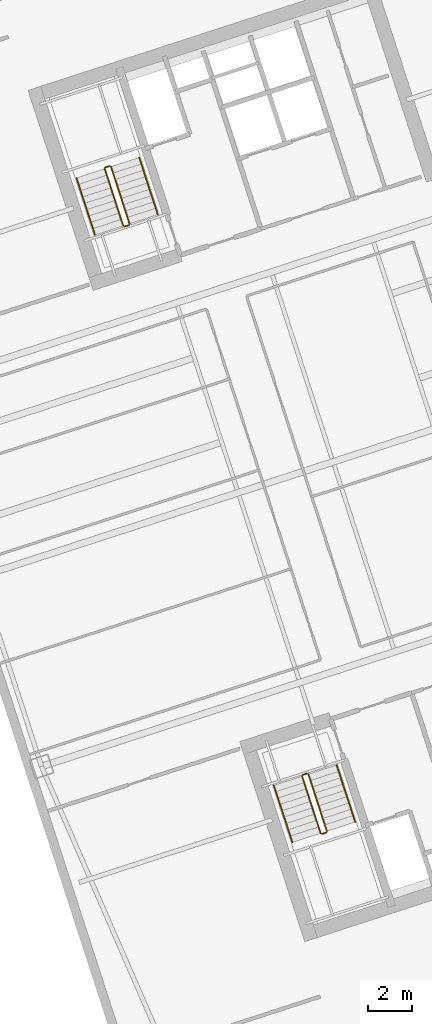
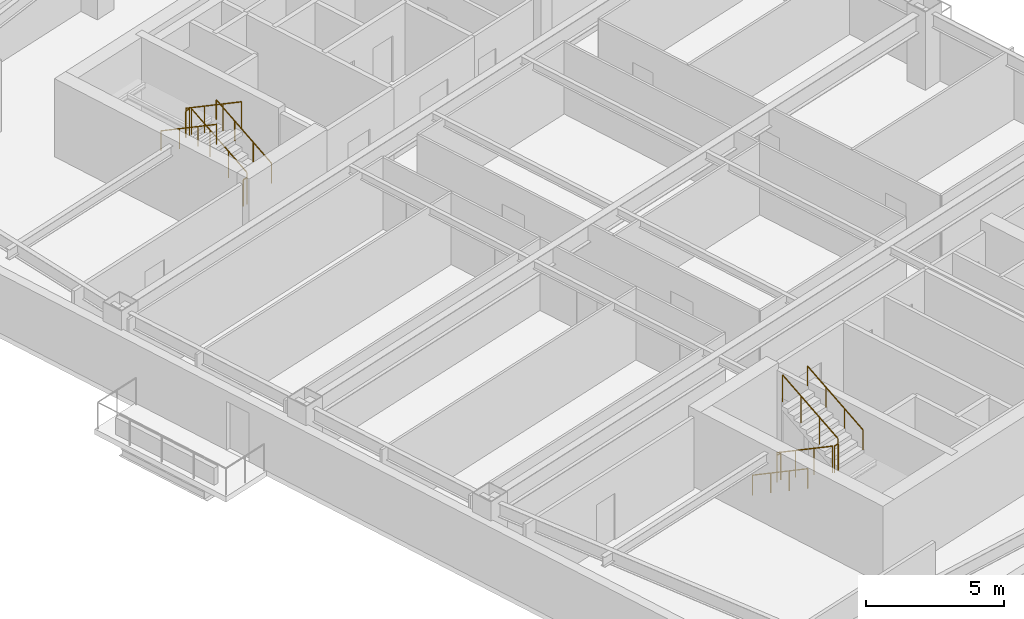
# One storey, part 14 of 15: 12 railings.
"""IFC4 building model written with IfcOpenShell, lengths in metres."""

from ifc_helpers import new_model, si_unit, direction, frame, origin, origin_2d, place, context, subcontext, project, spatial, circle, extrude, material, type_object, element, save


model = new_model("IFC4")

# Units and contexts
model_context = context("Model", 3, precision=1e-05, world=origin(), true_north=direction((0.0, 1.0)))
body_context = subcontext(model_context, "Body", "Model", "MODEL_VIEW")
ifc_project = project(units=[si_unit("LENGTHUNIT", "METRE"), si_unit("AREAUNIT", "SQUARE_METRE"), si_unit("VOLUMEUNIT", "CUBIC_METRE"), si_unit("PLANEANGLEUNIT", "RADIAN"), si_unit("MASSUNIT", "GRAM", prefix="KILO")], contexts=[model_context])

# Site, building, storey
site_placement = place(None, origin())
site = spatial("IfcSite", under=ifc_project, at=site_placement, CompositionType="ELEMENT")
building_placement = place(site_placement, origin())
building = spatial("IfcBuilding", under=site, at=building_placement, Name="Qiaolan Cultural Towers", CompositionType="ELEMENT")
storey_placement = place(building_placement, frame((0.0, 0.0, 113.85009765625)))
storey = spatial("IfcBuildingStorey", under=building, at=storey_placement, Name="L29", CompositionType="ELEMENT", Elevation=113.85009765625)

# Railings
ifc_material_1 = material(Name="Galvanized Painted Steel Stair Guardrail", Category="steel")
railing_type_1 = type_object("IfcRailingType", Name="RL-STAIR-GRD", PredefinedType="GUARDRAIL", material=ifc_material_1)
railing_1_placement = place(storey_placement, frame((88.60205078125, 19.82421875, 0.17236328125)))
element("IfcRailing", 1, at=railing_1_placement, inside=storey, type_object=railing_type_1, Name="L29 ST-E1 stair guard 1", PredefinedType="GUARDRAIL", context=body_context, shape_type="SweptSolid", body=[
    extrude(circle(Radius=0.02392578125, at=origin_2d()), frame((0.0, 0.0, 1.17578125), z_axis=(0.267925668498, -0.824471088726, 0.498460891159), x_axis=(0.951043371037, 0.309057448393, 0.0)), (0.0, 0.0, 1.0), 3.114501953125),
    extrude(circle(Radius=0.02099609375, at=origin_2d()), origin(), (0.0, 0.0, 1.0), 1.15185546875),
    extrude(circle(Radius=0.02099609375, at=origin_2d()), frame((0.278076171875, -0.85595703125, 0.517578125)), (0.0, 0.0, 1.0), 1.15185546875),
    extrude(circle(Radius=0.02099609375, at=origin_2d()), frame((0.556396484375, -1.7119140625, 1.034912109375)), (0.0, 0.0, 1.0), 1.15185546875),
    extrude(circle(Radius=0.02099609375, at=origin_2d()), frame((0.83447265625, -2.56787109375, 1.552490234375)), (0.0, 0.0, 1.0), 1.15185546875),
])
railing_2_placement = place(storey_placement, frame((89.49951171875, 17.224365234375, 1.724853515625)))
element("IfcRailing", 2, at=railing_2_placement, inside=storey, type_object=railing_type_1, Name="L29 ST-E1 stair guard 2", PredefinedType="GUARDRAIL", context=body_context, shape_type="SweptSolid", body=[
    extrude(circle(Radius=0.02392578125, at=origin_2d()), frame((0.0, 0.0, 1.17578125), z_axis=(0.951096855055, 0.308892816854, 0.0), x_axis=(-0.308892816854, 0.951096855055, 0.0)), (0.0, 0.0, 1.0), 0.199951171875),
    extrude(circle(Radius=0.02099609375, at=origin_2d()), origin(), (0.0, 0.0, 1.0), 1.15185546875),
    extrude(circle(Radius=0.02099609375, at=origin_2d()), frame((0.190185546875, 0.061767578125, 0.0)), (0.0, 0.0, 1.0), 1.15185546875),
])
railing_3_placement = place(storey_placement, frame((89.721923828125, 17.34912109375, 1.8974609375)))
element("IfcRailing", 3, at=railing_3_placement, inside=storey, type_object=railing_type_1, Name="L29 ST-E1 stair guard 3", PredefinedType="GUARDRAIL", context=body_context, shape_type="SweptSolid", body=[
    extrude(circle(Radius=0.02392578125, at=origin_2d()), frame((0.0, 0.0, 1.17578125), z_axis=(-0.267925668498, 0.824471088726, 0.498460891159), x_axis=(-0.951043371037, -0.309057448393, 0.0)), (0.0, 0.0, 1.0), 3.114501953125),
    extrude(circle(Radius=0.02099609375, at=origin_2d()), origin(), (0.0, 0.0, 1.0), 1.15185546875),
    extrude(circle(Radius=0.02099609375, at=origin_2d()), frame((-0.278076171875, 0.85595703125, 0.517578125)), (0.0, 0.0, 1.0), 1.15185546875),
    extrude(circle(Radius=0.02099609375, at=origin_2d()), frame((-0.556396484375, 1.7119140625, 1.034912109375)), (0.0, 0.0, 1.0), 1.15185546875),
    extrude(circle(Radius=0.02099609375, at=origin_2d()), frame((-0.83447265625, 2.56787109375, 1.552490234375)), (0.0, 0.0, 1.0), 1.15185546875),
])
railing_4_placement = place(storey_placement, frame((88.63427734375, 19.88720703125, 0.0)))
element("IfcRailing", 4, at=railing_4_placement, inside=storey, type_object=railing_type_1, Name="L29 ST-E1 stair guard 4", PredefinedType="GUARDRAIL", context=body_context, shape_type="SweptSolid", body=[
    extrude(circle(Radius=0.02392578125, at=origin_2d()), frame((0.0, 0.0, 1.17578125), z_axis=(0.951096855055, 0.308892816854, 0.0), x_axis=(-0.308892816854, 0.951096855055, 0.0)), (0.0, 0.0, 1.0), 0.199951171875),
    extrude(circle(Radius=0.02099609375, at=origin_2d()), origin(), (0.0, 0.0, 1.0), 1.15185546875),
    extrude(circle(Radius=0.02099609375, at=origin_2d()), frame((0.190185546875, 0.061767578125, 0.0)), (0.0, 0.0, 1.0), 1.15185546875),
])
railing_5_placement = place(storey_placement, frame((80.822021484375, 44.739501953125, 0.17236328125)))
element("IfcRailing", 5, at=railing_5_placement, inside=storey, type_object=railing_type_1, Name="L29 ST-E2 stair guard 1", PredefinedType="GUARDRAIL", context=body_context, shape_type="SweptSolid", body=[
    extrude(circle(Radius=0.02392578125, at=origin_2d()), frame((0.0, 0.0, 1.17578125), z_axis=(-0.26785290645, 0.824488402118, 0.498471358535), x_axis=(-0.951069945308, -0.308975661068, 0.0)), (0.0, 0.0, 1.0), 3.114501953125),
    extrude(circle(Radius=0.02099609375, at=origin_2d()), origin(), (0.0, 0.0, 1.0), 1.15185546875),
    extrude(circle(Radius=0.02099609375, at=origin_2d()), frame((-0.278076171875, 0.85595703125, 0.517578125)), (0.0, 0.0, 1.0), 1.15185546875),
    extrude(circle(Radius=0.02099609375, at=origin_2d()), frame((-0.55615234375, 1.7119140625, 1.034912109375)), (0.0, 0.0, 1.0), 1.15185546875),
    extrude(circle(Radius=0.02099609375, at=origin_2d()), frame((-0.834228515625, 2.56787109375, 1.552490234375)), (0.0, 0.0, 1.0), 1.15185546875),
])
railing_6_placement = place(storey_placement, frame((79.9248046875, 47.33935546875, 1.724853515625)))
element("IfcRailing", 6, at=railing_6_placement, inside=storey, type_object=railing_type_1, Name="L29 ST-E2 stair guard 2", PredefinedType="GUARDRAIL", context=body_context, shape_type="SweptSolid", body=[
    extrude(circle(Radius=0.02392578125, at=origin_2d()), frame((0.0, 0.0, 1.17578125), z_axis=(-0.951096855055, -0.308892816854, 0.0), x_axis=(0.308892816854, -0.951096855055, 0.0)), (0.0, 0.0, 1.0), 0.199951171875),
    extrude(circle(Radius=0.02099609375, at=origin_2d()), origin(), (0.0, 0.0, 1.0), 1.15185546875),
    extrude(circle(Radius=0.02099609375, at=origin_2d()), frame((-0.190185546875, -0.061767578125, 0.0)), (0.0, 0.0, 1.0), 1.15185546875),
])
railing_7_placement = place(storey_placement, frame((79.702392578125, 47.214599609375, 1.8974609375)))
element("IfcRailing", 7, at=railing_7_placement, inside=storey, type_object=railing_type_1, Name="L29 ST-E2 stair guard 3", PredefinedType="GUARDRAIL", context=body_context, shape_type="SweptSolid", body=[
    extrude(circle(Radius=0.02392578125, at=origin_2d()), frame((0.0, 0.0, 1.17578125), z_axis=(0.267925668498, -0.824471088726, 0.498460891159), x_axis=(0.951043371037, 0.309057448393, 0.0)), (0.0, 0.0, 1.0), 3.114501953125),
    extrude(circle(Radius=0.02099609375, at=origin_2d()), origin(), (0.0, 0.0, 1.0), 1.15185546875),
    extrude(circle(Radius=0.02099609375, at=origin_2d()), frame((0.278076171875, -0.85595703125, 0.517578125)), (0.0, 0.0, 1.0), 1.15185546875),
    extrude(circle(Radius=0.02099609375, at=origin_2d()), frame((0.556396484375, -1.7119140625, 1.034912109375)), (0.0, 0.0, 1.0), 1.15185546875),
    extrude(circle(Radius=0.02099609375, at=origin_2d()), frame((0.83447265625, -2.56787109375, 1.552490234375)), (0.0, 0.0, 1.0), 1.15185546875),
])
railing_8_placement = place(storey_placement, frame((80.7900390625, 44.676513671875, 0.0)))
element("IfcRailing", 8, at=railing_8_placement, inside=storey, type_object=railing_type_1, Name="L29 ST-E2 stair guard 4", PredefinedType="GUARDRAIL", context=body_context, shape_type="SweptSolid", body=[
    extrude(circle(Radius=0.02392578125, at=origin_2d()), frame((0.0, 0.0, 1.17578125), z_axis=(-0.951096855055, -0.308892816854, 0.0), x_axis=(0.308892816854, -0.951096855055, 0.0)), (0.0, 0.0, 1.0), 0.199951171875),
    extrude(circle(Radius=0.02099609375, at=origin_2d()), origin(), (0.0, 0.0, 1.0), 1.15185546875),
    extrude(circle(Radius=0.02099609375, at=origin_2d()), frame((-0.190185546875, -0.061767578125, 0.0)), (0.0, 0.0, 1.0), 1.15185546875),
])
ifc_material_2 = material(Name="Stainless Steel S30408 Tubular Handrail", Category="steel")
railing_type_2 = type_object("IfcRailingType", Name="RL-STAIR-HR", PredefinedType="HANDRAIL", material=ifc_material_2)
railing_9_placement = place(storey_placement, frame((87.32763671875, 19.41015625, 0.17236328125)))
element("IfcRailing", 9, at=railing_9_placement, inside=storey, type_object=railing_type_2, Name="L29 ST-E1 stair handrail 1", PredefinedType="HANDRAIL", context=body_context, shape_type="SweptSolid", body=[
    extrude(circle(Radius=0.02392578125, at=origin_2d()), frame((0.0, 0.0, 0.8759765625), z_axis=(0.267925668498, -0.824471088726, 0.498460891159), x_axis=(0.951043371037, 0.309057448393, 0.0)), (0.0, 0.0, 1.0), 3.114501953125),
    extrude(circle(Radius=0.02099609375, at=origin_2d()), origin(), (0.0, 0.0, 1.0), 0.851806640625),
    extrude(circle(Radius=0.02099609375, at=origin_2d()), frame((0.278076171875, -0.85595703125, 0.517578125)), (0.0, 0.0, 1.0), 0.851806640625),
    extrude(circle(Radius=0.02099609375, at=origin_2d()), frame((0.556396484375, -1.7119140625, 1.034912109375)), (0.0, 0.0, 1.0), 0.851806640625),
    extrude(circle(Radius=0.02099609375, at=origin_2d()), frame((0.83447265625, -2.56787109375, 1.552490234375)), (0.0, 0.0, 1.0), 0.851806640625),
])
railing_10_placement = place(storey_placement, frame((90.996337890625, 17.76318359375, 1.8974609375)))
element("IfcRailing", 10, at=railing_10_placement, inside=storey, type_object=railing_type_2, Name="L29 ST-E1 stair handrail 2", PredefinedType="HANDRAIL", context=body_context, shape_type="SweptSolid", body=[
    extrude(circle(Radius=0.02392578125, at=origin_2d()), frame((0.0, 0.0, 0.8759765625), z_axis=(-0.267925668498, 0.824471088726, 0.498460891159), x_axis=(-0.951043371037, -0.309057448393, 0.0)), (0.0, 0.0, 1.0), 3.114501953125),
    extrude(circle(Radius=0.02099609375, at=origin_2d()), origin(), (0.0, 0.0, 1.0), 0.851806640625),
    extrude(circle(Radius=0.02099609375, at=origin_2d()), frame((-0.278076171875, 0.85595703125, 0.517578125)), (0.0, 0.0, 1.0), 0.851806640625),
    extrude(circle(Radius=0.02099609375, at=origin_2d()), frame((-0.556396484375, 1.7119140625, 1.034912109375)), (0.0, 0.0, 1.0), 0.851806640625),
    extrude(circle(Radius=0.02099609375, at=origin_2d()), frame((-0.83447265625, 2.56787109375, 1.552490234375)), (0.0, 0.0, 1.0), 0.851806640625),
])
railing_11_placement = place(storey_placement, frame((82.096435546875, 45.153564453125, 0.17236328125)))
element("IfcRailing", 11, at=railing_11_placement, inside=storey, type_object=railing_type_2, Name="L29 ST-E2 stair handrail 1", PredefinedType="HANDRAIL", context=body_context, shape_type="SweptSolid", body=[
    extrude(circle(Radius=0.02392578125, at=origin_2d()), frame((0.0, 0.0, 0.8759765625), z_axis=(-0.26785290645, 0.824488402118, 0.498471358535), x_axis=(-0.951069945308, -0.308975661068, 0.0)), (0.0, 0.0, 1.0), 3.114501953125),
    extrude(circle(Radius=0.02099609375, at=origin_2d()), origin(), (0.0, 0.0, 1.0), 0.851806640625),
    extrude(circle(Radius=0.02099609375, at=origin_2d()), frame((-0.278076171875, 0.85595703125, 0.517578125)), (0.0, 0.0, 1.0), 0.851806640625),
    extrude(circle(Radius=0.02099609375, at=origin_2d()), frame((-0.55615234375, 1.7119140625, 1.034912109375)), (0.0, 0.0, 1.0), 0.851806640625),
    extrude(circle(Radius=0.02099609375, at=origin_2d()), frame((-0.834228515625, 2.56787109375, 1.552490234375)), (0.0, 0.0, 1.0), 0.851806640625),
])
railing_12_placement = place(storey_placement, frame((78.427978515625, 46.800537109375, 1.8974609375)))
element("IfcRailing", 12, at=railing_12_placement, inside=storey, type_object=railing_type_2, Name="L29 ST-E2 stair handrail 2", PredefinedType="HANDRAIL", context=body_context, shape_type="SweptSolid", body=[
    extrude(circle(Radius=0.02392578125, at=origin_2d()), frame((0.0, 0.0, 0.8759765625), z_axis=(0.267925668498, -0.824471088726, 0.498460891159), x_axis=(0.951043371037, 0.309057448393, 0.0)), (0.0, 0.0, 1.0), 3.114501953125),
    extrude(circle(Radius=0.02099609375, at=origin_2d()), origin(), (0.0, 0.0, 1.0), 0.851806640625),
    extrude(circle(Radius=0.02099609375, at=origin_2d()), frame((0.278076171875, -0.85595703125, 0.517578125)), (0.0, 0.0, 1.0), 0.851806640625),
    extrude(circle(Radius=0.02099609375, at=origin_2d()), frame((0.556396484375, -1.7119140625, 1.034912109375)), (0.0, 0.0, 1.0), 0.851806640625),
    extrude(circle(Radius=0.02099609375, at=origin_2d()), frame((0.83447265625, -2.56787109375, 1.552490234375)), (0.0, 0.0, 1.0), 0.851806640625),
])

save(model, "model.ifc")
